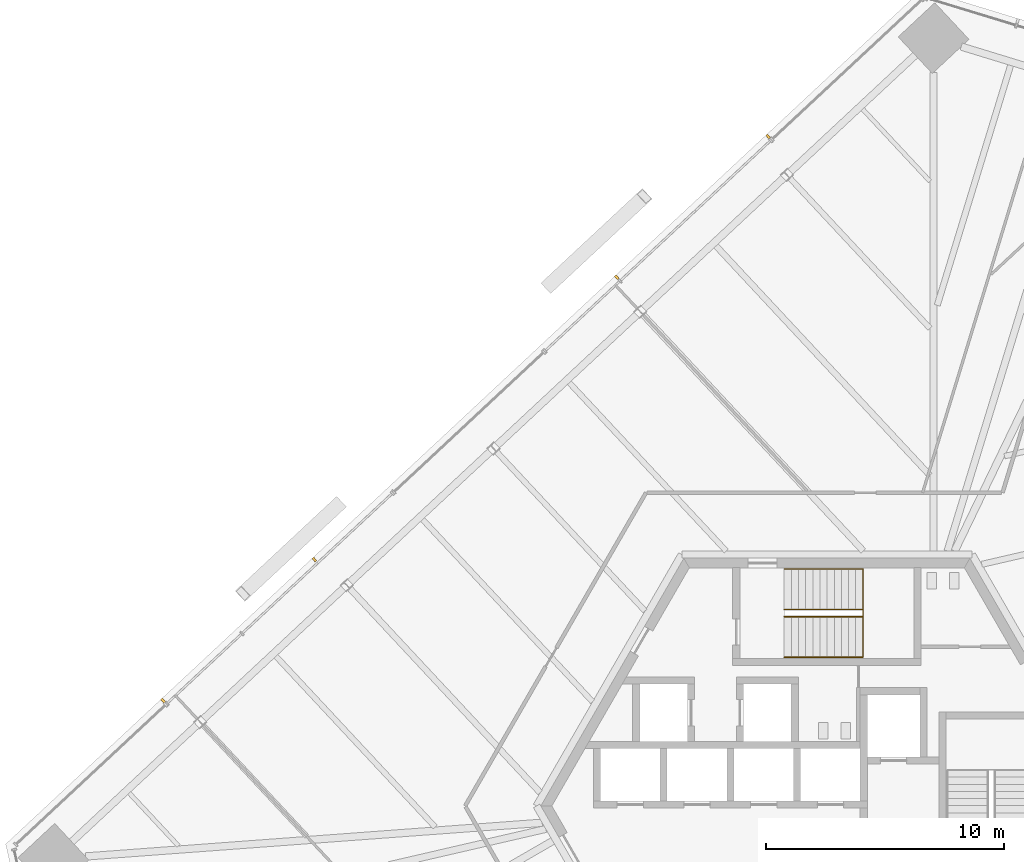
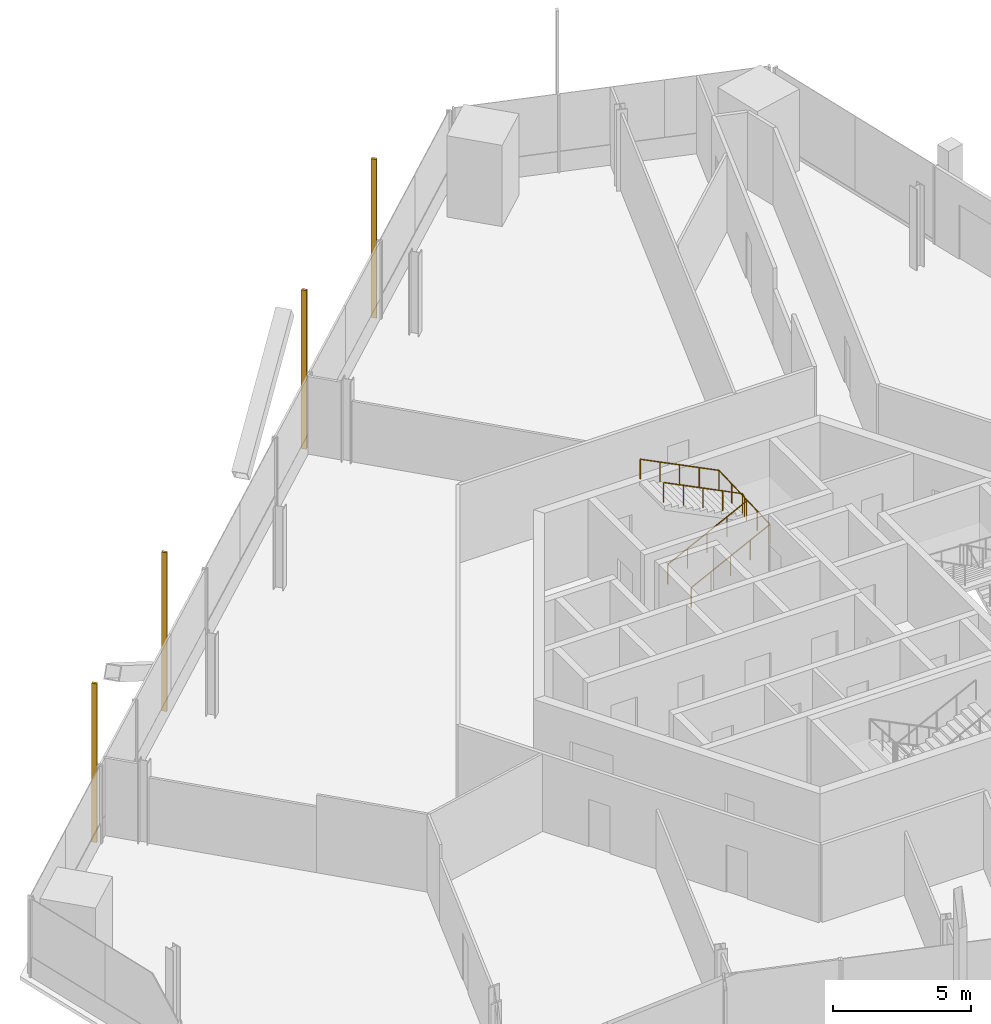
# One storey, part 17 of 21: 4 shading devices, 2 railings.
"""IFC4 building model written with IfcOpenShell, lengths in metres."""

from ifc_helpers import new_model, si_unit, direction, frame, origin, origin_2d, place, context, subcontext, project, spatial, rectangle, circle, extrude, source, transform, mapped, material, type_object, element, save


model = new_model("IFC4")

# Units and contexts
model_context = context("Model", 3, precision=1e-05, world=origin(), true_north=direction((0.0, 1.0)))
body_context = subcontext(model_context, "Body", "Model", "MODEL_VIEW")
ifc_project = project(units=[si_unit("LENGTHUNIT", "METRE"), si_unit("AREAUNIT", "SQUARE_METRE"), si_unit("VOLUMEUNIT", "CUBIC_METRE"), si_unit("PLANEANGLEUNIT", "RADIAN"), si_unit("MASSUNIT", "GRAM", prefix="KILO")], contexts=[model_context])

# Site, building, storey
site_placement = place(None, origin())
site = spatial("IfcSite", under=ifc_project, at=site_placement, CompositionType="ELEMENT")
building_placement = place(site_placement, origin())
building = spatial("IfcBuilding", under=site, at=building_placement, Name="Triune Harvest Tower", CompositionType="ELEMENT")
storey_placement = place(building_placement, frame((0.0, 0.0, 119.89990234375)))
storey = spatial("IfcBuildingStorey", under=building, at=storey_placement, Name="L30", CompositionType="ELEMENT", Elevation=119.89990234375)

# Railings
ifc_material_1 = material(Name="Stainless steel AISI 316", Category="steel")
railing_type = type_object("IfcRailingType", Name="Stair handrail", PredefinedType="HANDRAIL", material=ifc_material_1)
shared_shape_1 = source(origin(), body_context, "Body", "SweptSolid", [
    extrude(circle(Radius=0.02392578125, at=origin_2d()), frame((0.0, 0.0, 0.8759765625), z_axis=(0.894440424912, 0.0, 0.447187126696), x_axis=(0.0, 1.0, 0.0)), (0.0, 0.0, 1.0), 3.689453125),
    extrude(circle(Radius=0.02392578125, at=origin_2d()), frame((3.300048828125, 0.0, 2.52587890625), z_axis=(0.0, 0.999177620331, 0.040547293732), x_axis=(-1.0, 0.0, 0.0)), (0.0, 0.0, 1.0), 3.702880859375),
    extrude(circle(Radius=0.02392578125, at=origin_2d()), frame((3.300048828125, 3.699951171875, 2.67578125), z_axis=(-0.894440424912, 0.0, 0.447187126696), x_axis=(0.0, -1.0, 0.0)), (0.0, 0.0, 1.0), 3.689453125),
    extrude(circle(Radius=0.02099609375, at=origin_2d()), origin(), (0.0, 0.0, 1.0), 0.851806640625),
    extrude(circle(Radius=0.02099609375, at=origin_2d()), frame((0.824951171875, 0.0, 0.41259765625)), (0.0, 0.0, 1.0), 0.851806640625),
    extrude(circle(Radius=0.02099609375, at=origin_2d()), frame((1.64990234375, 0.0, 0.824951171875)), (0.0, 0.0, 1.0), 0.851806640625),
    extrude(circle(Radius=0.02099609375, at=origin_2d()), frame((2.47509765625, 0.0, 1.2373046875)), (0.0, 0.0, 1.0), 0.851806640625),
    extrude(circle(Radius=0.02099609375, at=origin_2d()), frame((3.300048828125, 0.0, 1.64990234375)), (0.0, 0.0, 1.0), 0.851806640625),
    extrude(circle(Radius=0.02099609375, at=origin_2d()), frame((3.300048828125, 0.925048828125, 1.6875)), (0.0, 0.0, 1.0), 0.851806640625),
    extrude(circle(Radius=0.02099609375, at=origin_2d()), frame((3.300048828125, 1.85009765625, 1.72509765625)), (0.0, 0.0, 1.0), 0.851806640625),
    extrude(circle(Radius=0.02099609375, at=origin_2d()), frame((3.300048828125, 2.77490234375, 1.762451171875)), (0.0, 0.0, 1.0), 0.851806640625),
    extrude(circle(Radius=0.02099609375, at=origin_2d()), frame((3.300048828125, 3.699951171875, 1.800048828125)), (0.0, 0.0, 1.0), 0.851806640625),
    extrude(circle(Radius=0.02099609375, at=origin_2d()), frame((2.47509765625, 3.699951171875, 2.21240234375)), (0.0, 0.0, 1.0), 0.851806640625),
    extrude(circle(Radius=0.02099609375, at=origin_2d()), frame((1.64990234375, 3.699951171875, 2.625)), (0.0, 0.0, 1.0), 0.851806640625),
    extrude(circle(Radius=0.02099609375, at=origin_2d()), frame((0.824951171875, 3.699951171875, 3.03759765625)), (0.0, 0.0, 1.0), 0.851806640625),
    extrude(circle(Radius=0.02099609375, at=origin_2d()), frame((0.0, 3.699951171875, 3.449951171875)), (0.0, 0.0, 1.0), 0.851806640625),
])
railing_1_placement = place(storey_placement, frame((-1.7900390625, 6.239990234375, 0.150146484375)))
element("IfcRailing", 1, at=railing_1_placement, inside=storey, type_object=railing_type, Name="Exit stair north wall handrail", PredefinedType="HANDRAIL", context=body_context, shape_type="MappedRepresentation", body=[
    mapped(shared_shape_1, transform((0.0, 0.0, 0.0), scale=1.0)),
])
shared_shape_2 = source(origin(), body_context, "Body", "SweptSolid", [
    extrude(circle(Radius=0.02392578125, at=origin_2d()), frame((0.0, 0.0, 0.8759765625), z_axis=(0.894440424912, 0.0, 0.447187126696), x_axis=(0.0, 1.0, 0.0)), (0.0, 0.0, 1.0), 3.689453125),
    extrude(circle(Radius=0.02392578125, at=origin_2d()), frame((3.300048828125, 0.0, 2.52587890625), z_axis=(0.0, 0.894281613681, 0.447504631744), x_axis=(-1.0, 0.0, 0.0)), (0.0, 0.0, 1.0), 0.33544921875),
    extrude(circle(Radius=0.02392578125, at=origin_2d()), frame((3.300048828125, 0.300048828125, 2.67578125), z_axis=(-0.894440424912, 0.0, 0.447187126696), x_axis=(0.0, -1.0, 0.0)), (0.0, 0.0, 1.0), 3.689453125),
    extrude(circle(Radius=0.02099609375, at=origin_2d()), origin(), (0.0, 0.0, 1.0), 0.851806640625),
    extrude(circle(Radius=0.02099609375, at=origin_2d()), frame((0.824951171875, 0.0, 0.41259765625)), (0.0, 0.0, 1.0), 0.851806640625),
    extrude(circle(Radius=0.02099609375, at=origin_2d()), frame((1.64990234375, 0.0, 0.824951171875)), (0.0, 0.0, 1.0), 0.851806640625),
    extrude(circle(Radius=0.02099609375, at=origin_2d()), frame((2.47509765625, 0.0, 1.2373046875)), (0.0, 0.0, 1.0), 0.851806640625),
    extrude(circle(Radius=0.02099609375, at=origin_2d()), frame((3.300048828125, 0.0, 1.64990234375)), (0.0, 0.0, 1.0), 0.851806640625),
    extrude(circle(Radius=0.02099609375, at=origin_2d()), frame((3.300048828125, 0.300048828125, 1.800048828125)), (0.0, 0.0, 1.0), 0.851806640625),
    extrude(circle(Radius=0.02099609375, at=origin_2d()), frame((2.47509765625, 0.300048828125, 2.21240234375)), (0.0, 0.0, 1.0), 0.851806640625),
    extrude(circle(Radius=0.02099609375, at=origin_2d()), frame((1.64990234375, 0.300048828125, 2.625)), (0.0, 0.0, 1.0), 0.851806640625),
    extrude(circle(Radius=0.02099609375, at=origin_2d()), frame((0.824951171875, 0.300048828125, 3.03759765625)), (0.0, 0.0, 1.0), 0.851806640625),
    extrude(circle(Radius=0.02099609375, at=origin_2d()), frame((0.0, 0.300048828125, 3.449951171875)), (0.0, 0.0, 1.0), 0.851806640625),
])
railing_2_placement = place(storey_placement, frame((-1.7900390625, 7.93994140625, 0.150146484375)))
element("IfcRailing", 2, at=railing_2_placement, inside=storey, type_object=railing_type, Name="Exit stair north centre handrail", PredefinedType="HANDRAIL", context=body_context, shape_type="MappedRepresentation", body=[
    mapped(shared_shape_2, transform((0.0, 0.0, 0.0), scale=1.0)),
])

# Shading devices
ifc_material_2 = material(Name="Aluminium bronze anodised", Category="aluminium")
shared_shape_3 = source(origin(), body_context, "Body", "SweptSolid", [
    extrude(rectangle(XDim=0.10009765625, YDim=0.199951171875, at=origin_2d()), origin(), (0.0, 0.0, 1.0), 7.0400390625),
])
for number, where, z_axis, x_axis, name in (
    (3, (-2.46533203125, 28.0888671875, 0.0), (0.0, 0.0, 1.0), (-0.73135336394, -0.681998722179, 0.0), "FN-1 fin B3-F3.3 L30"),
    (4, (-8.81103515625, 22.17138671875, 0.0), (0.0, 0.0, 1.0), (-0.73135336394, -0.681998722179, 0.0), "FN-1 fin B3-F3.5 L30"),
    (5, (-21.502685546875, 10.336181640625, 0.0), (0.0, 0.0, 1.0), (-0.73135336394, -0.681998722179, 0.0), "FN-1 fin B3-F3.9 L30"),
    (6, (-27.848388671875, 4.418701171875, 0.0), (0.0, 0.0, 1.0), (-0.73135336394, -0.681998722179, 0.0), "FN-1 fin B3-F3.11 L30"),
):
    element("IfcShadingDevice", number, at=place(storey_placement, frame(where, z_axis=z_axis, x_axis=x_axis)), inside=storey, material=ifc_material_2, Name=name, ObjectType="FIN", PredefinedType="USERDEFINED", context=body_context, shape_type="MappedRepresentation", body=[
        mapped(shared_shape_3, transform((0.0, 0.0, 0.0), scale=1.0)),
    ])

save(model, "model.ifc")
